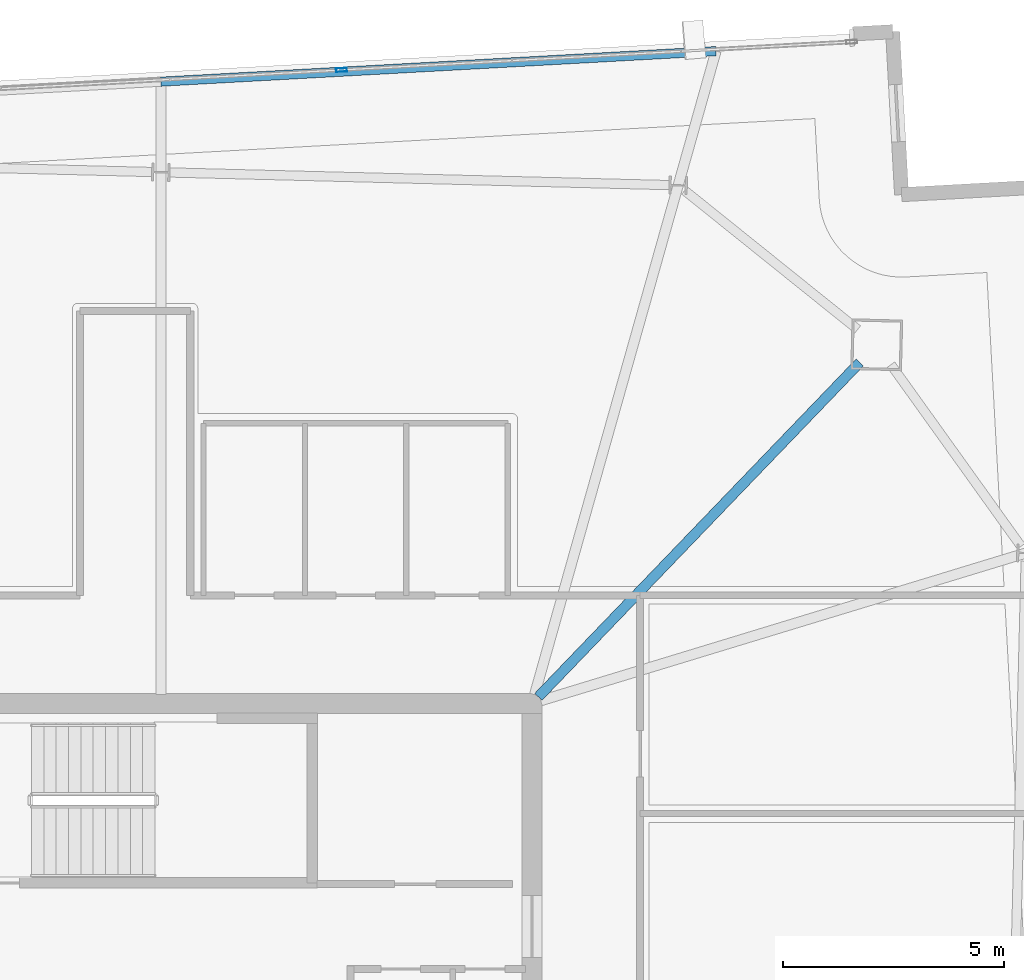
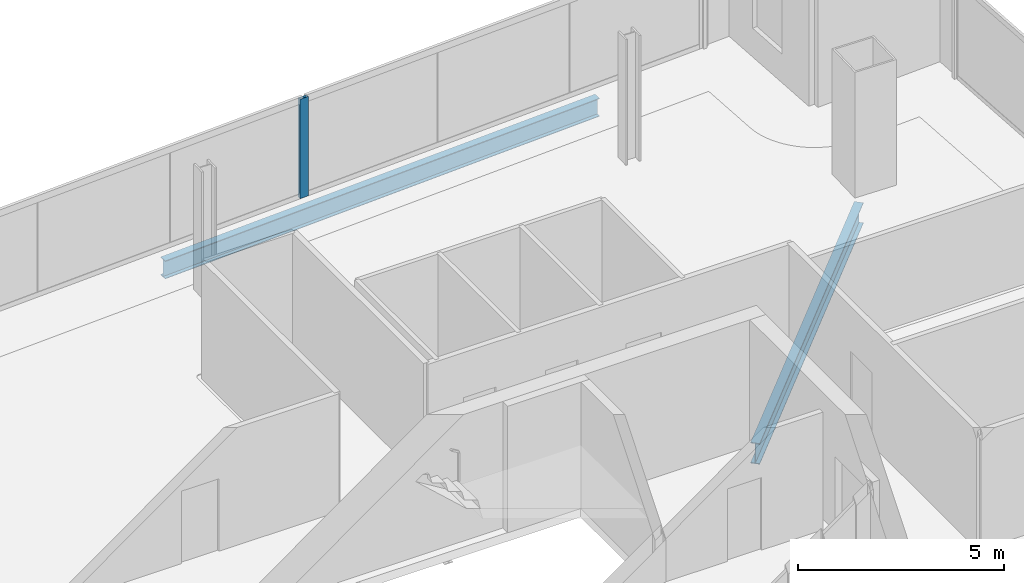
# One storey, part 13 of 23: 2 beams, 1 member, 1 element without a shape of its own.
"""IFC4 building model written with IfcOpenShell, lengths in metres."""

from ifc_helpers import new_model, si_unit, direction, frame, origin, origin_2d, place, context, subcontext, project, spatial, hollow_rectangle, i_section, extrude, material, material_profile, profile_set, type_object, element, aggregate, save


model = new_model("IFC4")

# Units and contexts
model_context = context("Model", 3, precision=1e-05, world=origin(), true_north=direction((0.0, 1.0)))
body_context = subcontext(model_context, "Body", "Model", "MODEL_VIEW")
ifc_project = project(units=[si_unit("LENGTHUNIT", "METRE"), si_unit("AREAUNIT", "SQUARE_METRE"), si_unit("VOLUMEUNIT", "CUBIC_METRE"), si_unit("PLANEANGLEUNIT", "RADIAN"), si_unit("MASSUNIT", "GRAM", prefix="KILO")], contexts=[model_context])

# Site, building, storey
site_placement = place(None, origin())
site = spatial("IfcSite", under=ifc_project, at=site_placement, CompositionType="ELEMENT")
building_placement = place(site_placement, origin())
building = spatial("IfcBuilding", under=site, at=building_placement, Name="Haldenkirk Collegiate Tower", CompositionType="ELEMENT")
storey_placement = place(building_placement, frame((0.0, 0.0, 340.199951171875)))
storey = spatial("IfcBuildingStorey", under=building, at=storey_placement, Name="L86", CompositionType="ELEMENT", Elevation=340.199951171875)

# Beams
ifc_material_1 = material(Name="Steel ASTM A992 Grade 50", Category="steel")
ifc_material_profile_1 = material_profile(ifc_material_1, i_section(OverallWidth=0.22998046875, OverallDepth=0.616943359375, WebThickness=0.01318359375, FlangeThickness=0.022216796875, at=origin_2d()), Name="W24X94")
ifc_profile_set_1 = profile_set([ifc_material_profile_1], Name="Steel ASTM A992 Grade 50")
beam_type_1 = type_object("IfcBeamType", Name="BM-GIRDER-W24X94", PredefinedType="BEAM", material=ifc_profile_set_1)
beam_1_placement = place(storey_placement, frame((52.428955078125, 41.7294921875, -0.568359375), z_axis=(-0.692944915375, -0.720990529935, 0.0), x_axis=(0.720990529935, -0.692944915375, 0.0)))
element("IfcBeam", 1, at=beam_1_placement, inside=storey, type_object=beam_type_1, Name="L86 primary floor girder 02", PredefinedType="BEAM", context=body_context, shape_type="SweptSolid", body=[
    extrude(i_section(OverallWidth=0.22998046875, OverallDepth=0.616943359375, WebThickness=0.01318359375, FlangeThickness=0.022216796875, at=origin_2d()), origin(), (0.0, 0.0, 1.0), 10.515869140625),
])
ifc_material_profile_2 = material_profile(ifc_material_1, i_section(OverallWidth=0.2099609375, OverallDepth=0.537109375, WebThickness=0.010986328125, FlangeThickness=0.017333984375, at=origin_2d()), Name="W21X68")
ifc_profile_set_2 = profile_set([ifc_material_profile_2], Name="Steel ASTM A992 Grade 50")
beam_type_2 = type_object("IfcBeamType", Name="BM-SPANDREL-W21X68", PredefinedType="SPANDREL", material=ifc_profile_set_2)
beam_2_placement = place(storey_placement, frame((49.169677734375, 48.7880859375, -0.528564453125), z_axis=(-0.998488468791, -0.054961601971, 0.0), x_axis=(0.054961601971, -0.998488468791, 0.0)))
element("IfcBeam", 2, at=beam_2_placement, inside=storey, type_object=beam_type_2, Name="L86 outer facade edge beam 2A", PredefinedType="SPANDREL", context=body_context, shape_type="SweptSolid", body=[
    extrude(i_section(OverallWidth=0.2099609375, OverallDepth=0.537109375, WebThickness=0.010986328125, FlangeThickness=0.017333984375, at=origin_2d()), origin(), (0.0, 0.0, 1.0), 12.6064453125),
])

# Curtain wall, member
ifc_material_2 = material(Name="Anodised architectural bronze aluminium", Category="aluminium")
curtain_wall_type = type_object("IfcCurtainWallType", Name="CW-SYS1B-CONVEX-HI", PredefinedType="USERDEFINED", material=ifc_material_2)
curtain_wall_placement = place(storey_placement, origin())
curtain_wall = element("IfcCurtainWall", 3, at=curtain_wall_placement, inside=storey, type_object=curtain_wall_type, Name="L86 Upper tower high-wind convex bronze unitised curtain wall", ObjectType="UNITISED CURTAIN WALL", PredefinedType="USERDEFINED")
ifc_material_profile_3 = material_profile(ifc_material_2, hollow_rectangle(XDim=0.0849609375, YDim=0.25, WallThickness=0.0048828125, at=origin_2d()), Name="CW-MUL-1B")
ifc_profile_set_3 = profile_set([ifc_material_profile_3], Name="Anodised architectural bronze aluminium")
member_type = type_object("IfcMemberType", Name="CW-MUL-1B", PredefinedType="MULLION", material=ifc_profile_set_3)
member_placement = place(storey_placement, frame((40.67822265625, 48.36083984375, 0.0), z_axis=(0.0, 0.0, 1.0), x_axis=(-0.054947531961, 0.998489243173, 0.0)))
member = element("IfcMember", 4, at=member_placement, type_object=member_type, Name="CW-1B mullion 3", PredefinedType="MULLION", context=body_context, shape_type="SweptSolid", body=[
    extrude(hollow_rectangle(XDim=0.0849609375, YDim=0.25, WallThickness=0.0048828125, at=origin_2d()), origin(), (0.0, 0.0, 1.0), 2.947998046875),
])
aggregate(curtain_wall, [member])

save(model, "model.ifc")
